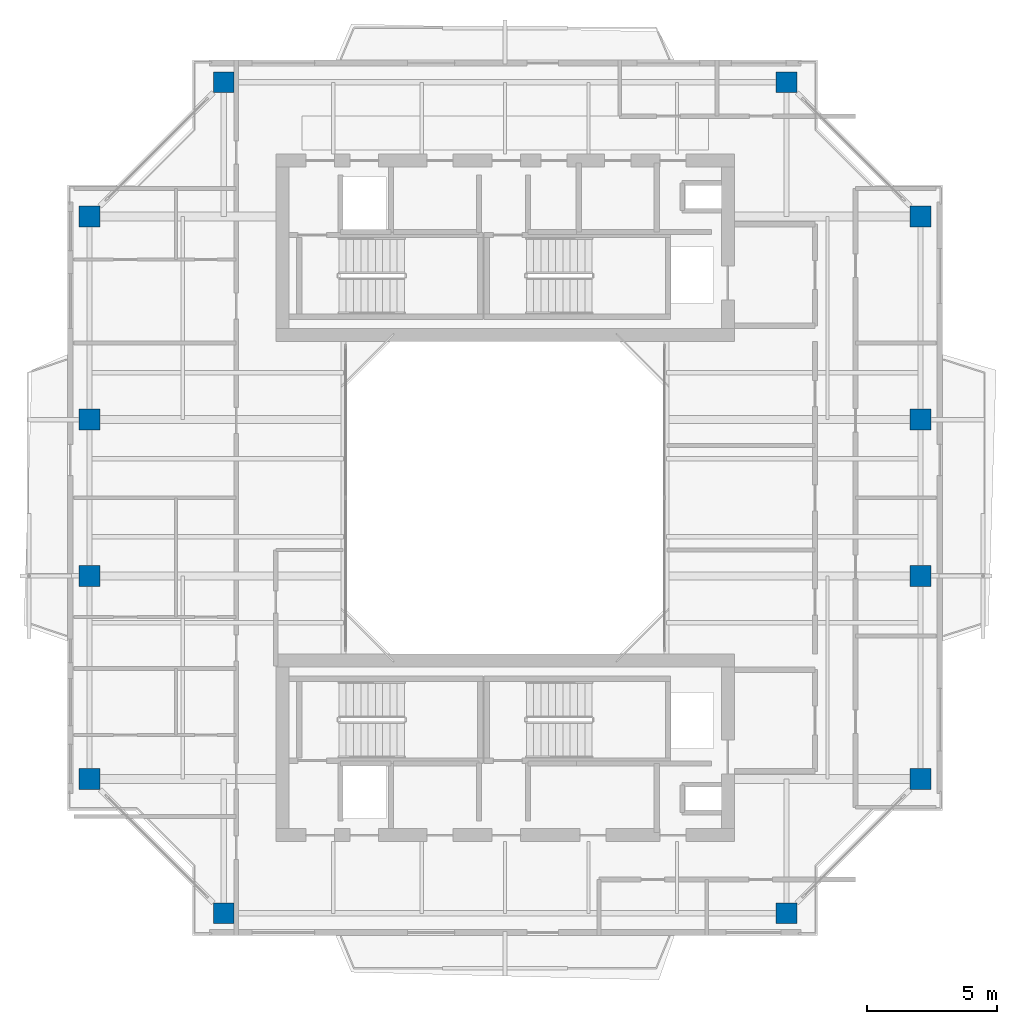
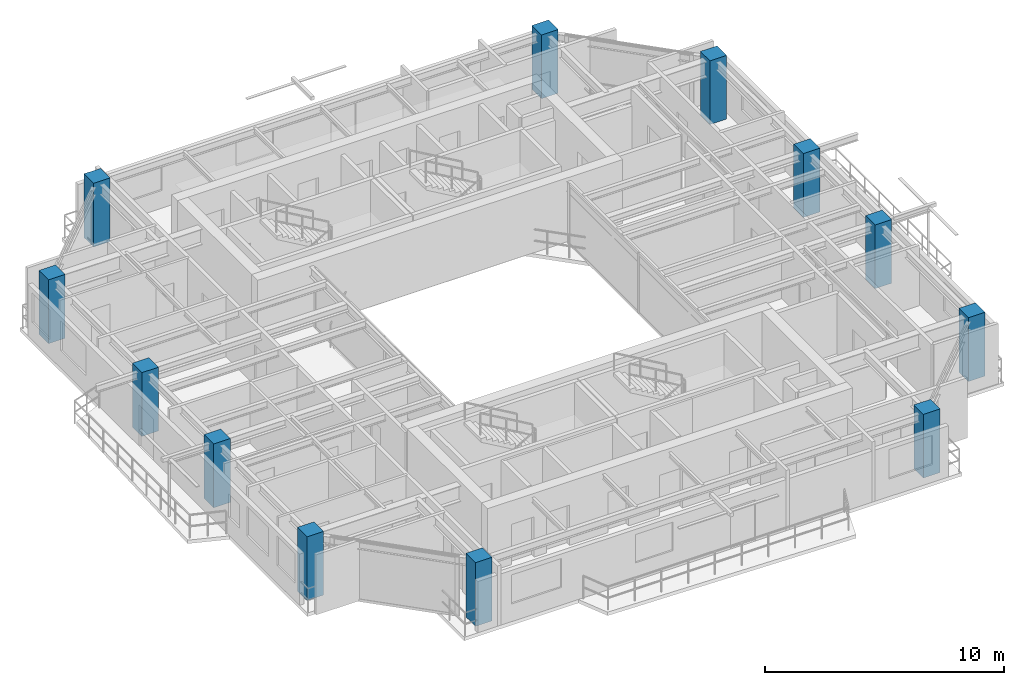
# One storey, part 1 of 16: 12 columns.
"""IFC4 building model written with IfcOpenShell, lengths in metres."""

from ifc_helpers import new_model, si_unit, direction, frame, origin, origin_2d, place, context, subcontext, project, spatial, rectangle, extrude, source, transform, mapped, material, material_profile, profile_set, type_object, element, save


model = new_model("IFC4")

# Units and contexts
model_context = context("Model", 3, precision=1e-05, world=origin(), true_north=direction((0.0, 1.0)))
body_context = subcontext(model_context, "Body", "Model", "MODEL_VIEW")
ifc_project = project(units=[si_unit("LENGTHUNIT", "METRE"), si_unit("AREAUNIT", "SQUARE_METRE"), si_unit("VOLUMEUNIT", "CUBIC_METRE"), si_unit("PLANEANGLEUNIT", "RADIAN"), si_unit("MASSUNIT", "GRAM", prefix="KILO"), si_unit("THERMODYNAMICTEMPERATUREUNIT", "KELVIN"), si_unit("POWERUNIT", "WATT")], contexts=[model_context])

# Site, building, storey
site_placement = place(None, origin())
site = spatial("IfcSite", under=ifc_project, at=site_placement, CompositionType="ELEMENT")
building_placement = place(site_placement, origin())
building = spatial("IfcBuilding", under=site, at=building_placement, Name="Qiaomeng Ring Towers", CompositionType="ELEMENT")
storey_placement = place(building_placement, frame((0.0, 0.0, 216.5)))
storey = spatial("IfcBuildingStorey", under=building, at=storey_placement, Name="L63", CompositionType="ELEMENT", Elevation=216.5)

# Columns
ifc_material = material(Name="Concrete C40", Category="concrete")
ifc_material_profile = material_profile(ifc_material, rectangle(XDim=0.800048828125, YDim=0.800048828125, at=origin_2d()), Name="RC COL 800x800")
ifc_profile_set = profile_set([ifc_material_profile], Name="Concrete C40")
column_type = type_object("IfcColumnType", Name="STR-COL-800-C40", PredefinedType="COLUMN", material=ifc_profile_set)
shared_shape = source(origin(), body_context, "Body", "SweptSolid", [
    extrude(rectangle(XDim=0.800048828125, YDim=0.800048828125, at=origin_2d()), origin(), (0.0, 0.0, 1.0), 3.25),
])
for number, where, z_axis, x_axis, name in (
    (1, (8.199951171875, 7.050048828125, 0.0), (0.0, 0.0, 1.0), (1.0, 0.0, 0.0), "L63 column STR-COL-L63-T1-S1"),
    (2, (29.800048828125, 7.050048828125, 0.0), (0.0, 0.0, 1.0), (1.0, 0.0, 0.0), "L63 column STR-COL-L63-T1-S2"),
    (3, (34.949951171875, 12.199951171875, 0.0), (0.0, 0.0, 1.0), (1.0, 0.0, 0.0), "L63 column STR-COL-L63-T1-E1"),
    (4, (34.949951171875, 20.0, 0.0), (0.0, 0.0, 1.0), (1.0, 0.0, 0.0), "L63 column STR-COL-L63-T1-E2"),
    (5, (34.949951171875, 26.0, 0.0), (0.0, 0.0, 1.0), (1.0, 0.0, 0.0), "L63 column STR-COL-L63-T1-E3"),
    (6, (34.949951171875, 33.800048828125, 0.0), (0.0, 0.0, 1.0), (1.0, 0.0, 0.0), "L63 column STR-COL-L63-T1-E4"),
    (7, (29.800048828125, 38.949951171875, 0.0), (0.0, 0.0, 1.0), (1.0, 0.0, 0.0), "L63 column STR-COL-L63-T1-N2"),
    (8, (8.199951171875, 38.949951171875, 0.0), (0.0, 0.0, 1.0), (1.0, 0.0, 0.0), "L63 column STR-COL-L63-T1-N1"),
    (9, (3.050048828125, 33.800048828125, 0.0), (0.0, 0.0, 1.0), (1.0, 0.0, 0.0), "L63 column STR-COL-L63-T1-W4"),
    (10, (3.050048828125, 26.0, 0.0), (0.0, 0.0, 1.0), (1.0, 0.0, 0.0), "L63 column STR-COL-L63-T1-W3"),
    (11, (3.050048828125, 20.0, 0.0), (0.0, 0.0, 1.0), (1.0, 0.0, 0.0), "L63 column STR-COL-L63-T1-W2"),
    (12, (3.050048828125, 12.199951171875, 0.0), (0.0, 0.0, 1.0), (1.0, 0.0, 0.0), "L63 column STR-COL-L63-T1-W1"),
):
    element("IfcColumn", number, at=place(storey_placement, frame(where, z_axis=z_axis, x_axis=x_axis)), inside=storey, type_object=column_type, Name=name, PredefinedType="COLUMN", context=body_context, shape_type="MappedRepresentation", body=[
        mapped(shared_shape, transform((0.0, 0.0, 0.0), x_axis=(1.0, 0.0, 0.0), y_axis=(0.0, 1.0, 0.0), z_axis=(0.0, 0.0, 1.0), scale=1.0)),
    ])

save(model, "model.ifc")
